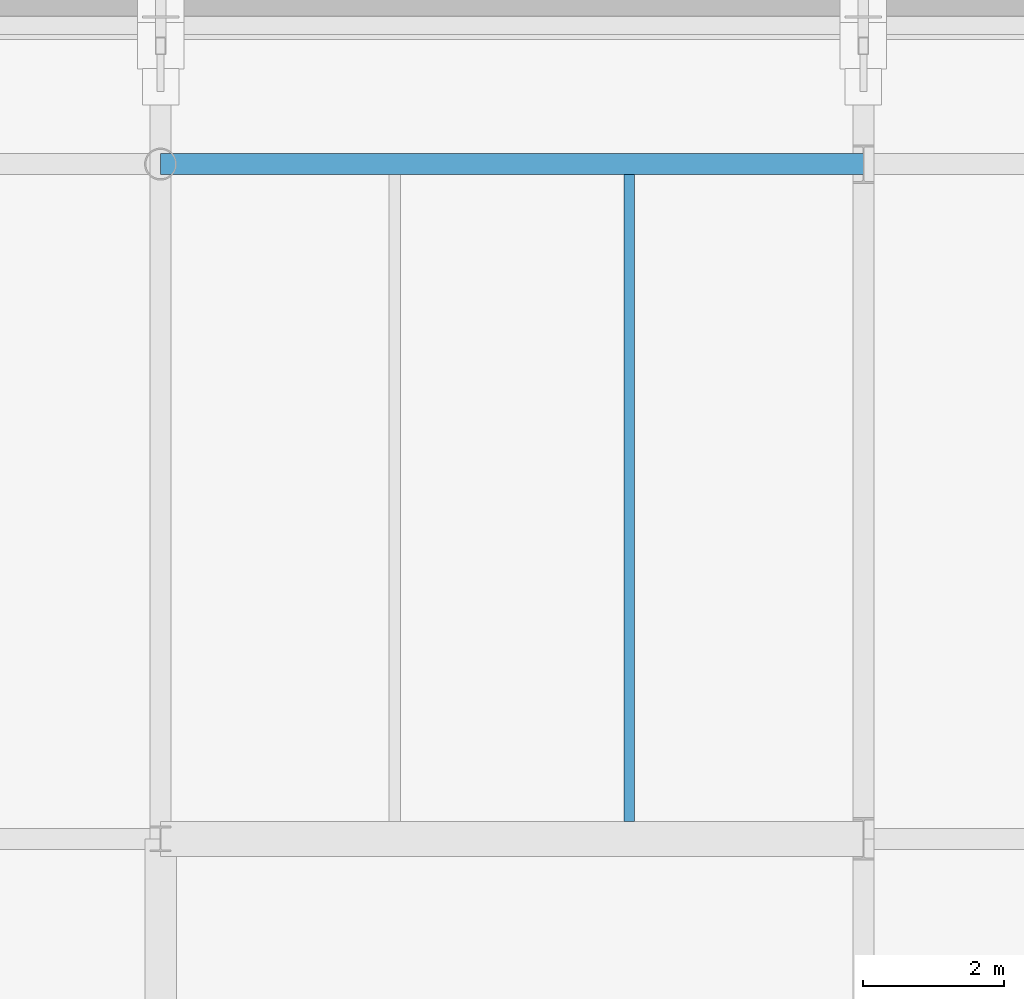
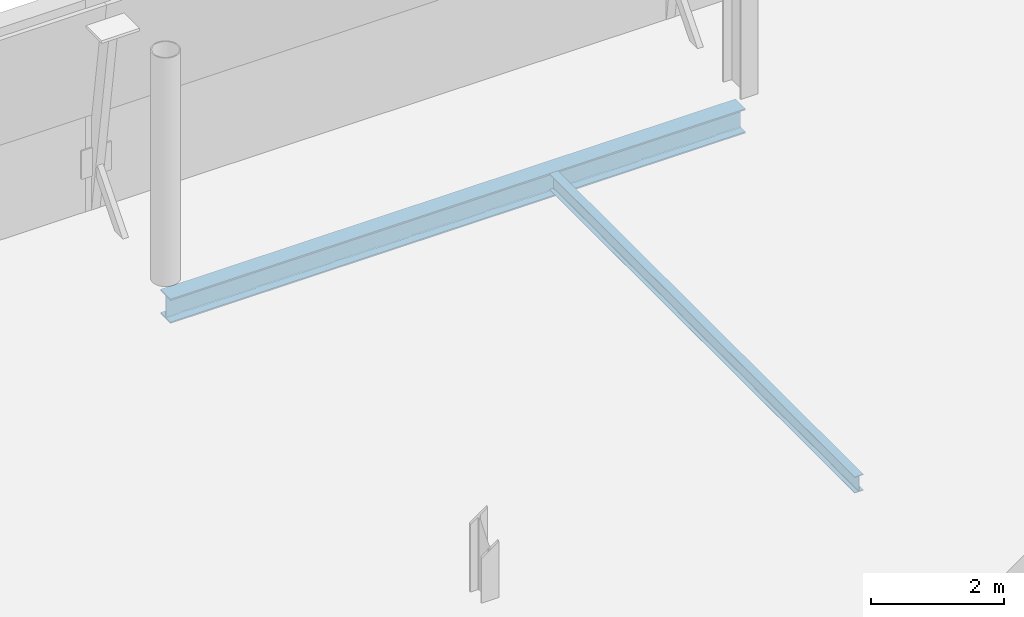
# One storey, part 35 of 90: 2 beams.
"""IFC4 building model written with IfcOpenShell, lengths in metres."""

from ifc_helpers import new_model, si_unit, direction, frame, origin, origin_2d, place, context, subcontext, project, spatial, i_section, extrude, material, material_profile, profile_set, type_object, element, save


model = new_model("IFC4")

# Units and contexts
model_context = context("Model", 3, precision=1e-05, world=origin(), true_north=direction((0.0, 1.0)))
body_context = subcontext(model_context, "Body", "Model", "MODEL_VIEW")
ifc_project = project(units=[si_unit("LENGTHUNIT", "METRE"), si_unit("AREAUNIT", "SQUARE_METRE"), si_unit("VOLUMEUNIT", "CUBIC_METRE"), si_unit("PLANEANGLEUNIT", "RADIAN"), si_unit("MASSUNIT", "GRAM", prefix="KILO")], contexts=[model_context])

# Site, building, storey
site_placement = place(None, origin())
site = spatial("IfcSite", under=ifc_project, at=site_placement, CompositionType="ELEMENT")
building_placement = place(site_placement, origin())
building = spatial("IfcBuilding", under=site, at=building_placement, Name="Zereglee Splitstone Museum", CompositionType="ELEMENT")
storey_placement = place(building_placement, frame((0.0, 0.0, 4.800048828125)))
storey = spatial("IfcBuildingStorey", under=building, at=storey_placement, Name="L01", CompositionType="ELEMENT", Elevation=4.800048828125)

# Beams
ifc_material = material(Name="Steel S355J2", Category="steel")
ifc_material_profile_1 = material_profile(ifc_material, i_section(OverallWidth=0.14990234375, OverallDepth=0.300048828125, WebThickness=0.007080078125, FlangeThickness=0.0107421875, FilletRadius=0.014892578125, at=origin_2d()), Name="IPE 300")
ifc_profile_set_1 = profile_set([ifc_material_profile_1], Name="Steel S355J2")
beam_type_1 = type_object("IfcBeamType", Name="BJ-06", PredefinedType="JOIST", material=ifc_profile_set_1)
beam_1_placement = place(storey_placement, frame((191.86669921875, 50.64990234375, -0.449951171875), z_axis=(0.0, 1.0, 0.0), x_axis=(-1.0, 0.0, 0.0)))
element("IfcBeam", 1, at=beam_1_placement, inside=storey, type_object=beam_type_1, Name="Secondary Floor Joist L01-0817", PredefinedType="JOIST", context=body_context, shape_type="SweptSolid", body=[
    extrude(i_section(OverallWidth=0.14990234375, OverallDepth=0.300048828125, WebThickness=0.007080078125, FlangeThickness=0.0107421875, FilletRadius=0.014892578125, at=origin_2d()), origin(), (0.0, 0.0, 1.0), 9.2001953125),
])
ifc_material_profile_2 = material_profile(ifc_material, i_section(OverallWidth=0.300048828125, OverallDepth=0.449951171875, WebThickness=0.013916015625, FlangeThickness=0.02587890625, FilletRadius=0.027099609375, at=origin_2d()), Name="HE 450 B")
ifc_profile_set_2 = profile_set([ifc_material_profile_2], Name="Steel S355J2")
beam_type_2 = type_object("IfcBeamType", Name="SP-02", PredefinedType="SPANDREL", material=ifc_profile_set_2)
beam_2_placement = place(storey_placement, frame((185.199951171875, 60.0, -0.525146484375), z_axis=(1.0, 0.0, 0.0), x_axis=(0.0, 1.0, 0.0)))
element("IfcBeam", 2, at=beam_2_placement, inside=storey, type_object=beam_type_2, Name="Primary Girder L01 G (185.2-195.2)", PredefinedType="SPANDREL", context=body_context, shape_type="SweptSolid", body=[
    extrude(i_section(OverallWidth=0.300048828125, OverallDepth=0.449951171875, WebThickness=0.013916015625, FlangeThickness=0.02587890625, FilletRadius=0.027099609375, at=origin_2d()), origin(), (0.0, 0.0, 1.0), 10.0),
])

save(model, "model.ifc")
